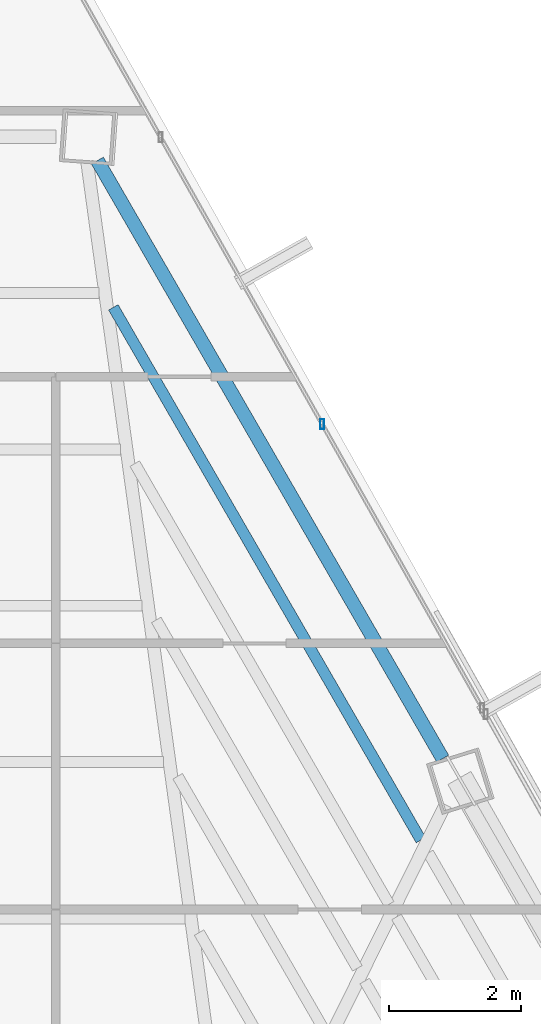
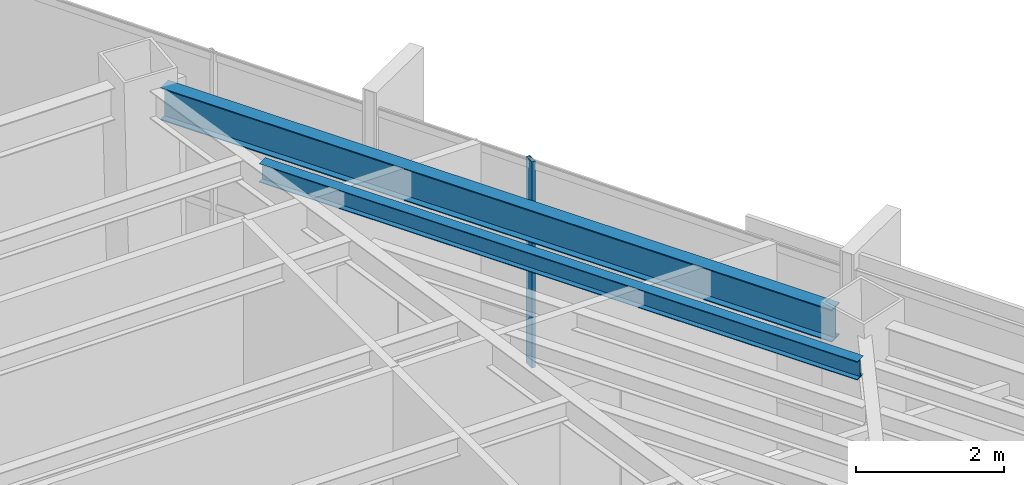
# One storey, part 30 of 42: 2 beams, 1 member, 1 element without a shape of its own.
"""IFC4 building model written with IfcOpenShell, lengths in metres."""

from ifc_helpers import new_model, si_unit, direction, frame, origin, origin_2d, place, context, subcontext, project, spatial, hollow_rectangle, i_section, extrude, source, transform, mapped, material, material_profile, profile_set, type_object, type_shapes, element, aggregate, save


model = new_model("IFC4")

# Units and contexts
model_context = context("Model", 3, precision=1e-05, world=origin(), true_north=direction((0.0, 1.0)))
body_context = subcontext(model_context, "Body", "Model", "MODEL_VIEW")
ifc_project = project(units=[si_unit("LENGTHUNIT", "METRE"), si_unit("AREAUNIT", "SQUARE_METRE"), si_unit("VOLUMEUNIT", "CUBIC_METRE"), si_unit("PLANEANGLEUNIT", "RADIAN"), si_unit("MASSUNIT", "GRAM", prefix="KILO")], contexts=[model_context])

# Site, building, storey
site_placement = place(None, origin())
site = spatial("IfcSite", under=ifc_project, at=site_placement, CompositionType="ELEMENT")
building_placement = place(site_placement, origin())
building = spatial("IfcBuilding", under=site, at=building_placement, Name="Caelisora Broadcast Tower", CompositionType="ELEMENT")
storey_placement = place(building_placement, frame((0.0, 0.0, 195.0)))
storey = spatial("IfcBuildingStorey", under=building, at=storey_placement, Name="L51", CompositionType="ELEMENT", Elevation=195.0)

# Beams
ifc_material_1 = material(Name="Steel Grade 350 (AS/NZS 3679.1)", Category="steel")
ifc_material_profile_1 = material_profile(ifc_material_1, i_section(OverallWidth=0.208984375, OverallDepth=0.532958984375, WebThickness=0.01025390625, FlangeThickness=0.015625, at=origin_2d()), Name="Steel Grade 350 (AS/NZS 3679.1)")
ifc_profile_set_1 = profile_set([ifc_material_profile_1], Name="Steel Grade 350 (AS/NZS 3679.1)")
beam_type_1 = type_object("IfcBeamType", Name="PG05", PredefinedType="BEAM", material=ifc_profile_set_1)
shared_shape_1 = source(origin(), body_context, "Body", "SweptSolid", [
    extrude(i_section(OverallWidth=0.208984375, OverallDepth=0.532958984375, WebThickness=0.01025390625, FlangeThickness=0.015625, at=origin_2d()), origin(), (0.0, 0.0, 1.0), 10.45849609375),
])
type_shapes(beam_type_1, [shared_shape_1])
beam_1_placement = place(storey_placement, frame((48.662841796875, 37.1552734375, 3.133544921875), z_axis=(-0.499997940445, 0.866026592866, 0.0), x_axis=(-0.866026592866, -0.499997940445, 0.0)))
element("IfcBeam", 1, at=beam_1_placement, inside=storey, type_object=beam_type_1, Name="L51 beam PG05", PredefinedType="BEAM", context=body_context, shape_type="MappedRepresentation", body=[
    mapped(shared_shape_1, transform((0.0, 0.0, 0.0), scale=1.0)),
])
ifc_material_profile_2 = material_profile(ifc_material_1, i_section(OverallWidth=0.166015625, OverallDepth=0.30712890625, WebThickness=0.006591796875, FlangeThickness=0.01171875, at=origin_2d()), Name="Steel Grade 350 (AS/NZS 3679.1)")
ifc_profile_set_2 = profile_set([ifc_material_profile_2], Name="Steel Grade 350 (AS/NZS 3679.1)")
beam_type_2 = type_object("IfcBeamType", Name="SB03", PredefinedType="JOIST", material=ifc_profile_set_2)
shared_shape_2 = source(origin(), body_context, "Body", "SweptSolid", [
    extrude(i_section(OverallWidth=0.166015625, OverallDepth=0.30712890625, WebThickness=0.006591796875, FlangeThickness=0.01171875, at=origin_2d()), origin(), (0.0, 0.0, 1.0), 9.31787109375),
])
type_shapes(beam_type_2, [shared_shape_2])
beam_2_placement = place(storey_placement, frame((48.33349609375, 35.9208984375, 3.246337890625), z_axis=(-0.499996886364, 0.866027201435, 0.0), x_axis=(-0.866027201435, -0.499996886364, 0.0)))
element("IfcBeam", 2, at=beam_2_placement, inside=storey, type_object=beam_type_2, Name="L51 beam SB03", PredefinedType="JOIST", context=body_context, shape_type="MappedRepresentation", body=[
    mapped(shared_shape_2, transform((0.0, 0.0, 0.0), scale=1.0)),
])

# Curtain wall, member
ifc_material_2 = material(Name="Unitised Aluminium and Low-E Glass Curtain Wall", Category="glass")
curtain_wall_type = type_object("IfcCurtainWallType", Name="CW-Z4", PredefinedType="NOTDEFINED", material=ifc_material_2)
curtain_wall_placement = place(storey_placement, origin())
curtain_wall = element("IfcCurtainWall", 3, at=curtain_wall_placement, inside=storey, type_object=curtain_wall_type, Name="L51 curtain wall CW-Z4", PredefinedType="NOTDEFINED")
ifc_material_3 = material(Name="Aluminium 6063-T6 Anodised Terracotta Bronze", Category="aluminium")
ifc_material_profile_3 = material_profile(ifc_material_3, hollow_rectangle(XDim=0.06005859375, YDim=0.14990234375, WallThickness=0.00341796875, at=origin_2d()), Name="Aluminium 6063-T6 Anodised Terracotta Bronze")
ifc_profile_set_3 = profile_set([ifc_material_profile_3], Name="Aluminium 6063-T6 Anodised Terracotta Bronze")
member_type = type_object("IfcMemberType", Name="CWM-03", PredefinedType="MULLION", material=ifc_profile_set_3)
shared_shape_3 = source(origin(), body_context, "Body", "SweptSolid", [
    extrude(hollow_rectangle(XDim=0.06005859375, YDim=0.14990234375, WallThickness=0.00341796875, at=origin_2d()), origin(), (0.0, 0.0, 1.0), 3.39990234375),
])
type_shapes(member_type, [shared_shape_3])
member_placement = place(storey_placement, frame((46.83837890625, 42.220458984375, 0.0), z_axis=(0.0, 0.0, 1.0), x_axis=(1.0, 0.0, 0.0)))
member = element("IfcMember", 4, at=member_placement, type_object=member_type, Name="L51-CW-B01 mullion #2", PredefinedType="MULLION", context=body_context, shape_type="MappedRepresentation", body=[
    mapped(shared_shape_3, transform((0.0, 0.0, 0.0), scale=1.0)),
])
aggregate(curtain_wall, [member])

save(model, "model.ifc")
